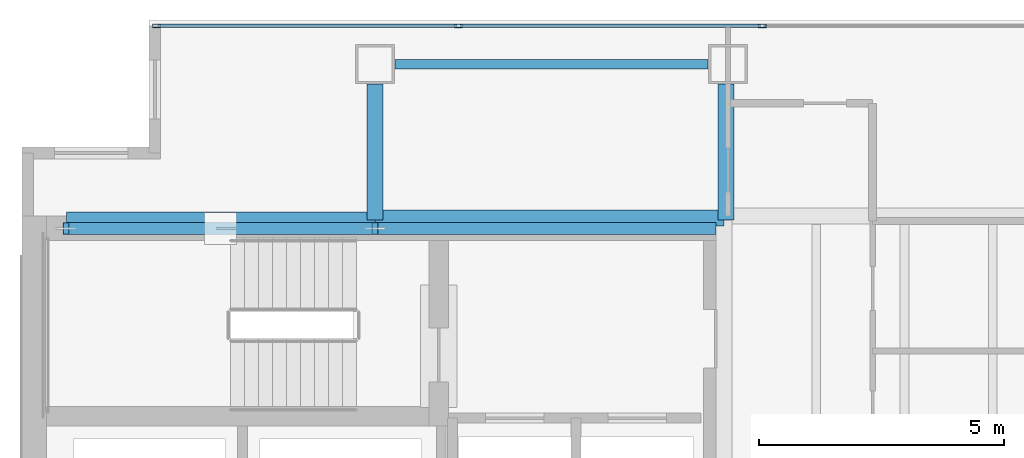
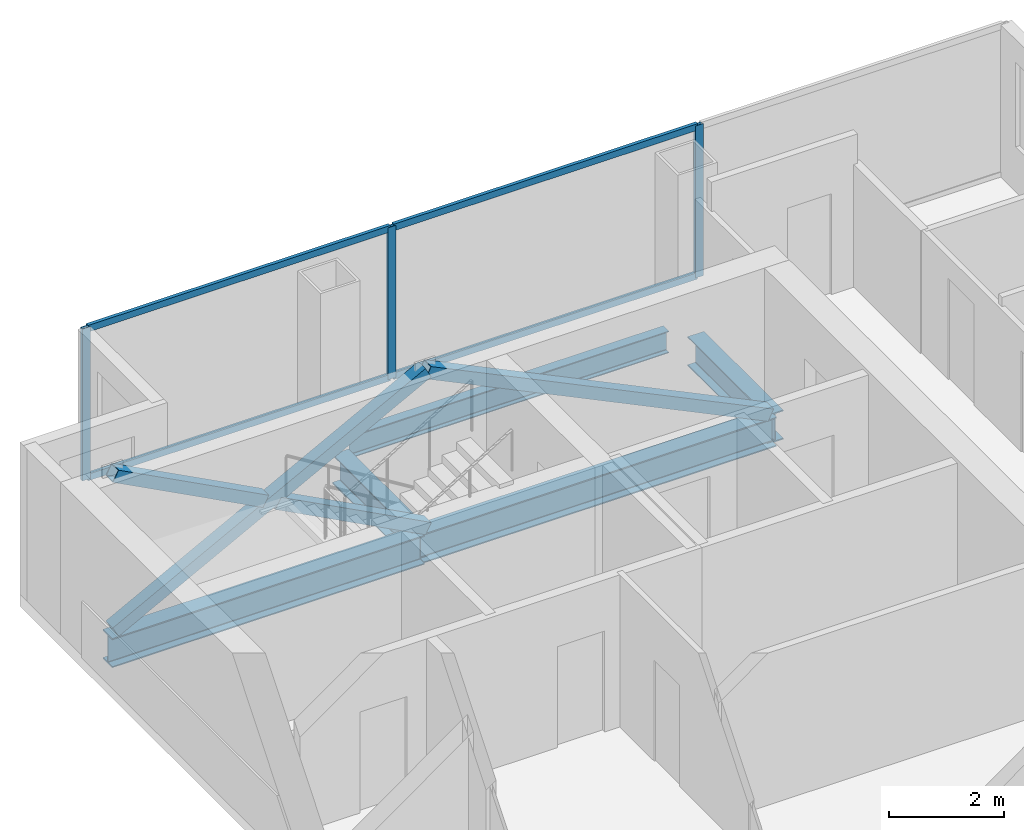
# One storey, part 17 of 23: 11 members, 5 beams, 1 element without a shape of its own.
"""IFC4 building model written with IfcOpenShell, lengths in metres."""

import ifcopenshell
import ifcopenshell.guid

model = None  # the IFC model being written
_history = None  # IfcOwnerHistory: only IFC2X3 demands one
_inside = {}  # id of a spatial element -> (the spatial element, [elements in it])
_under = {}  # id of a project, library or spatial element -> (it, [spatial elements below it])
_declared = {}  # id of a project -> (the project, [libraries it declares])
_typed = {}  # id of a type object -> (the type object, [elements of that type])
_made_of = {}  # id of a material, layer set ... -> (it, [elements and type objects made of it])


def new_model(schema):
    """Start an empty IFC model of exactly this schema.

    Asked for "IFC4X3", IfcOpenShell would pick the latest addendum, in which some entities
    have other attributes; the version numbers below select the first issue.
    IFC2X3 requires an IfcOwnerHistory on every rooted entity: one is made here for all.
    """
    global model, _history
    if schema == "IFC4X3":
        model = ifcopenshell.file(schema_version=(4, 3, 0, 0))
    else:
        model = ifcopenshell.file(schema=schema)
    _inside.clear()
    _under.clear()
    _declared.clear()
    _typed.clear()
    _made_of.clear()
    _history = None
    if model.schema == "IFC2X3":
        org = make("IfcOrganization", Name="unknown")
        user = make(
            "IfcPersonAndOrganization",
            ThePerson=make("IfcPerson", FamilyName="unknown"),
            TheOrganization=org,
        )
        app = make(
            "IfcApplication",
            ApplicationDeveloper=org,
            Version="unknown",
            ApplicationFullName="unknown",
            ApplicationIdentifier="unknown",
        )
        _history = make(
            "IfcOwnerHistory",
            OwningUser=user,
            OwningApplication=app,
            ChangeAction="ADDED",
            CreationDate=0,
        )
    return model


def make(cls, **values):
    """One entity of the class cls with the attributes given. An attribute that is None is left unset."""
    return model.create_entity(
        cls, **{name: value for name, value in values.items() if value is not None}
    )


def rooted(cls, **values):
    """An entity with a GlobalId (a new one), such as an element, a storey or a relation."""
    return make(cls, GlobalId=ifcopenshell.guid.new(), OwnerHistory=_history, **values)


def si_unit(unit_type, name, prefix=None):
    """IfcSIUnit, for example si_unit("LENGTHUNIT", "METRE", prefix="MILLI")."""
    return make("IfcSIUnit", UnitType=unit_type, Prefix=prefix, Name=name)


def assignment(units):
    """IfcUnitAssignment: the units of a project."""
    return None if units is None else make("IfcUnitAssignment", Units=units)


def point(xyz):
    """IfcCartesianPoint."""
    return None if xyz is None else make("IfcCartesianPoint", Coordinates=xyz)


def direction(xyz):
    """IfcDirection."""
    return None if xyz is None else make("IfcDirection", DirectionRatios=xyz)


def frame(location, z_axis=None, x_axis=None):
    """IfcAxis2Placement3D, a coordinate frame: its origin and axes. An axis left out is left unset."""
    return make(
        "IfcAxis2Placement3D",
        Location=point(location),
        Axis=direction(z_axis),
        RefDirection=direction(x_axis),
    )


def frame_2d(location, x_axis=None):
    """IfcAxis2Placement2D, a coordinate frame in the plane: its origin and x axis."""
    return make(
        "IfcAxis2Placement2D", Location=point(location), RefDirection=direction(x_axis)
    )


def origin():
    """The frame at (0, 0, 0) with its axes left unset."""
    return frame((0.0, 0.0, 0.0))


def origin_2d():
    """The frame at (0, 0) in the plane with its x axis left unset."""
    return frame_2d((0.0, 0.0))


def place(relative_to, where):
    """IfcLocalPlacement: puts the frame where relative to a parent placement (None: the world)."""
    return make(
        "IfcLocalPlacement", PlacementRelTo=relative_to, RelativePlacement=where
    )


def context(
    kind, dimensions, precision=None, world=None, true_north=None, identifier=None
):
    """IfcGeometricRepresentationContext, for example the 3D "Model" context."""
    return make(
        "IfcGeometricRepresentationContext",
        ContextIdentifier=identifier,
        ContextType=kind,
        CoordinateSpaceDimension=dimensions,
        Precision=precision,
        WorldCoordinateSystem=world,
        TrueNorth=true_north,
    )


def subcontext(parent, identifier, kind, view, scale=None):
    """IfcGeometricRepresentationSubContext, for example "Body" below "Model"."""
    return make(
        "IfcGeometricRepresentationSubContext",
        ContextIdentifier=identifier,
        ContextType=kind,
        ParentContext=parent,
        TargetScale=scale,
        TargetView=view,
    )


def project(units=None, contexts=None):
    """IfcProject with its units and contexts."""
    return rooted(
        "IfcProject",
        Name="project",
        RepresentationContexts=contexts,
        UnitsInContext=assignment(units),
    )


def spatial(cls, under=None, at=None, **own):
    """A site, building, storey or space (cls), placed at a placement, below another one or the project."""
    s = rooted(cls, ObjectPlacement=at, **own)
    if under is not None:
        _under.setdefault(under.id(), (under, []))[1].append(s)
    return s


def profile(cls, at=None, kind="AREA", **sizes):
    """A parametric profile (cls). Its sizes go by their IFC names, for example OverallWidth=200.0."""
    return make(cls, ProfileType=kind, Position=at, **sizes)


def hollow_rectangle(**sizes):
    """IfcRectangleHollowProfileDef."""
    return profile("IfcRectangleHollowProfileDef", **sizes)


def i_section(**sizes):
    """IfcIShapeProfileDef."""
    return profile("IfcIShapeProfileDef", **sizes)


def extrude(swept, where, along, depth):
    """IfcExtrudedAreaSolid: the profile swept, set in the frame where, extruded along a direction by depth."""
    return make(
        "IfcExtrudedAreaSolid",
        SweptArea=swept,
        Position=where,
        ExtrudedDirection=direction(along),
        Depth=depth,
    )


def shape(context_of_items, identifier, shape_type, items):
    """IfcShapeRepresentation: the items that make up one representation, for example the "Body"."""
    return make(
        "IfcShapeRepresentation",
        ContextOfItems=context_of_items,
        RepresentationIdentifier=identifier,
        RepresentationType=shape_type,
        Items=items,
    )


def material(Name=None, Category=None):
    """IfcMaterial."""
    return make("IfcMaterial", Name=Name, Category=Category)


def material_profile(
    of_material, cross_section, Name=None, Category=None, Priority=None
):
    """IfcMaterialProfile: a cross section and its material."""
    return make(
        "IfcMaterialProfile",
        Name=Name,
        Material=of_material,
        Profile=cross_section,
        Priority=Priority,
        Category=Category,
    )


def profile_set(profiles, Name=None, composite=None):
    """IfcMaterialProfileSet."""
    return make(
        "IfcMaterialProfileSet",
        Name=Name,
        MaterialProfiles=profiles,
        CompositeProfile=composite,
    )


def made_of(thing, what):
    """Note that an element or type object is made of a material, layer set ...; save() writes the relation."""
    if what is not None:
        _made_of.setdefault(what.id(), (what, []))[1].append(thing)
    return thing


def type_object(cls, material=None, **own):
    """A type object (cls), such as IfcWallType, which elements share."""
    return made_of(rooted(cls, **own), material)


def element(
    cls,
    number,
    at=None,
    inside=None,
    cuts=None,
    type_object=None,
    material=None,
    context=None,
    identifier="Body",
    shape_type=None,
    held_by="IfcProductDefinitionShape",
    body=None,
    shapes=None,
    **own,
):
    """One element of the class cls, such as IfcWall. Its Tag is "e" and its number.

    at: its placement. inside: the storey or other place that contains it. cuts: it is an
    opening in that element (IfcRelVoidsElement). A single representation is given by context,
    identifier, shape_type and body (its items); several are given by shapes. held_by: the class
    of the entity that holds the representations. save() writes the other relations.
    """
    e = rooted(cls, Tag="e%d" % number, ObjectPlacement=at, **own)
    if body is not None:
        shapes = [shape(context, identifier, shape_type, body)]
    if shapes is not None:
        e.Representation = make(held_by, Representations=shapes)
    if inside is not None:
        _inside.setdefault(inside.id(), (inside, []))[1].append(e)
    if cuts is not None:
        rooted(
            "IfcRelVoidsElement", RelatingBuildingElement=cuts, RelatedOpeningElement=e
        )
    if type_object is not None:
        _typed.setdefault(type_object.id(), (type_object, []))[1].append(e)
    return made_of(e, material)


def aggregate(whole, parts):
    """IfcRelAggregates: a whole, such as a stair, and the parts it consists of."""
    return rooted("IfcRelAggregates", RelatingObject=whole, RelatedObjects=parts)


def save(model, path):
    """Write the relations noted so far, then the file.

    IfcRelAggregates (storeys below a building ...), IfcRelContainedInSpatialStructure (elements
    in a storey), IfcRelDefinesByType, IfcRelAssociatesMaterial and IfcRelDeclares: one each for
    every whole, place, type object, material and project.
    """
    for whole, parts in _under.values():
        aggregate(whole, parts)
    for where, things in _inside.values():
        rooted(
            "IfcRelContainedInSpatialStructure",
            RelatedElements=things,
            RelatingStructure=where,
        )
    for kind, things in _typed.values():
        rooted("IfcRelDefinesByType", RelatedObjects=things, RelatingType=kind)
    for what, things in _made_of.values():
        rooted("IfcRelAssociatesMaterial", RelatedObjects=things, RelatingMaterial=what)
    for by, libraries in _declared.values():
        rooted("IfcRelDeclares", RelatingContext=by, RelatedDefinitions=libraries)
    model.write(path)


model = new_model("IFC4")

# Units and contexts
model_context = context("Model", 3, precision=1e-05, world=origin(), true_north=direction((0.0, 1.0)))
body_context = subcontext(model_context, "Body", "Model", "MODEL_VIEW")
ifc_project = project(units=[si_unit("LENGTHUNIT", "METRE"), si_unit("AREAUNIT", "SQUARE_METRE"), si_unit("VOLUMEUNIT", "CUBIC_METRE"), si_unit("PLANEANGLEUNIT", "RADIAN"), si_unit("MASSUNIT", "GRAM", prefix="KILO")], contexts=[model_context])

# Site, building, storey
site_placement = place(None, origin())
site = spatial("IfcSite", under=ifc_project, at=site_placement, CompositionType="ELEMENT")
building_placement = place(site_placement, origin())
building = spatial("IfcBuilding", under=site, at=building_placement, Name="Cobrela Telecom Tower", CompositionType="ELEMENT")
storey_placement = place(building_placement, frame((0.0, 0.0, 197.75)))
storey = spatial("IfcBuildingStorey", under=building, at=storey_placement, Name="L50", CompositionType="ELEMENT", Elevation=197.75)

# Beams
ifc_material_1 = material(Name="Steel ASTM A992 Grade 50", Category="steel")
ifc_material_profile_1 = material_profile(ifc_material_1, i_section(OverallWidth=0.327880859375, OverallDepth=0.6220703125, WebThickness=0.015380859375, FlangeThickness=0.0244140625, FilletRadius=0.014892578125, at=origin_2d()), Name="W24X131")
ifc_profile_set_1 = profile_set([ifc_material_profile_1], Name="Steel ASTM A992 Grade 50")
beam_type_1 = type_object("IfcBeamType", Name="BM-GIRD-06", PredefinedType="USERDEFINED", material=ifc_profile_set_1)
beam_1_placement = place(storey_placement, frame((0.905029296875, 35.919921875, -0.571044921875), z_axis=(1.0, 0.0, 0.0), x_axis=(0.0, 1.0, 0.0)))
element("IfcBeam", 1, at=beam_1_placement, inside=storey, type_object=beam_type_1, Name="L50 Primary Girder X20", ObjectType="GIRDER", PredefinedType="USERDEFINED", context=body_context, shape_type="SweptSolid", body=[
    extrude(i_section(OverallWidth=0.327880859375, OverallDepth=0.6220703125, WebThickness=0.015380859375, FlangeThickness=0.0244140625, FilletRadius=0.014892578125, at=origin_2d()), origin(), (0.0, 0.0, 1.0), 6.2900390625),
])
beam_2_placement = place(storey_placement, frame((7.205078125, 35.9599609375, -0.571044921875), z_axis=(1.0, 0.0, 0.0), x_axis=(0.0, 1.0, 0.0)))
element("IfcBeam", 2, at=beam_2_placement, inside=storey, type_object=beam_type_1, Name="L50 Primary Girder X21", ObjectType="GIRDER", PredefinedType="USERDEFINED", context=body_context, shape_type="SweptSolid", body=[
    extrude(i_section(OverallWidth=0.327880859375, OverallDepth=0.6220703125, WebThickness=0.015380859375, FlangeThickness=0.0244140625, FilletRadius=0.014892578125, at=origin_2d()), origin(), (0.0, 0.0, 1.0), 7.10986328125),
])
for number, where, z_axis, x_axis, name in (
    (3, (7.199951171875, 35.925048828125, -0.571044921875), (0.0, 1.0, 0.0), (-1.0, 0.0, 0.0), "L50 Primary Girder Y25"),
    (4, (14.360107421875, 35.925048828125, -0.571044921875), (0.0, 1.0, 0.0), (-1.0, 0.0, 0.0), "L50 Primary Girder Y31"),
):
    element("IfcBeam", number, at=place(storey_placement, frame(where, z_axis=z_axis, x_axis=x_axis)), inside=storey, type_object=beam_type_1, Name=name, ObjectType="GIRDER", PredefinedType="USERDEFINED", context=body_context, shape_type="SweptSolid", body=[
        extrude(i_section(OverallWidth=0.327880859375, OverallDepth=0.6220703125, WebThickness=0.015380859375, FlangeThickness=0.0244140625, FilletRadius=0.014892578125, at=origin_2d()), origin(), (0.0, 0.0, 1.0), 2.77001953125),
    ])
ifc_material_profile_2 = material_profile(ifc_material_1, i_section(OverallWidth=0.193115234375, OverallDepth=0.467041015625, WebThickness=0.011474609375, FlangeThickness=0.01904296875, FilletRadius=0.012939453125, at=origin_2d()), Name="W18X65")
ifc_profile_set_2 = profile_set([ifc_material_profile_2], Name="Steel ASTM A992 Grade 50")
beam_type_2 = type_object("IfcBeamType", Name="BM-SPAND-05", PredefinedType="SPANDREL", material=ifc_profile_set_2)
beam_3_placement = place(storey_placement, frame((7.60498046875, 39.10009765625, -0.493408203125), z_axis=(1.0, 0.0, 0.0), x_axis=(0.0, 1.0, 0.0)))
element("IfcBeam", 5, at=beam_3_placement, inside=storey, type_object=beam_type_2, Name="L50 Perimeter Spandrel X23", PredefinedType="SPANDREL", context=body_context, shape_type="SweptSolid", body=[
    extrude(i_section(OverallWidth=0.193115234375, OverallDepth=0.467041015625, WebThickness=0.011474609375, FlangeThickness=0.01904296875, FilletRadius=0.012939453125, at=origin_2d()), origin(), (0.0, 0.0, 1.0), 6.39013671875),
])

# Curtain wall, members
ifc_material_2 = material(Name="Anodized Bronze Aluminium 6063-T6", Category="aluminium")
curtain_wall_type = type_object("IfcCurtainWallType", Name="CW-SYS-OFF-LO", PredefinedType="USERDEFINED", material=ifc_material_2)
curtain_wall_placement = place(storey_placement, origin())
curtain_wall = element("IfcCurtainWall", 6, at=curtain_wall_placement, inside=storey, type_object=curtain_wall_type, Name="L50 Unitised Bronze Curtain Wall 07", ObjectType="UNITISED CURTAIN WALL", PredefinedType="USERDEFINED")
ifc_material_profile_3 = material_profile(ifc_material_2, hollow_rectangle(XDim=0.070068359375, YDim=0.159912109375, WallThickness=0.00390625, at=origin_2d()), Name="ALU 70x160x4")
ifc_profile_set_3 = profile_set([ifc_material_profile_3], Name="Anodized Bronze Aluminium 6063-T6")
member_type_1 = type_object("IfcMemberType", Name="CW-SYS-OFF-LO-MUL", PredefinedType="MULLION", material=ifc_profile_set_3)
member_1_placement = place(storey_placement, frame((2.7451171875, 39.8798828125, 0.0), z_axis=(0.0, 0.0, 1.0), x_axis=(0.0, 1.0, 0.0)))
member_1 = element("IfcMember", 7, at=member_1_placement, type_object=member_type_1, Name="CW-OFF-LO mullion 1", PredefinedType="MULLION", context=body_context, shape_type="SweptSolid", body=[
    extrude(hollow_rectangle(XDim=0.070068359375, YDim=0.159912109375, WallThickness=0.00390625, at=origin_2d()), origin(), (0.0, 0.0, 1.0), 3.239990234375),
])
member_2_placement = place(storey_placement, frame((8.9033203125, 39.8798828125, 0.0), z_axis=(0.0, 0.0, 1.0), x_axis=(0.0, 1.0, 0.0)))
member_2 = element("IfcMember", 8, at=member_2_placement, type_object=member_type_1, Name="CW-OFF-LO mullion 2", PredefinedType="MULLION", context=body_context, shape_type="SweptSolid", body=[
    extrude(hollow_rectangle(XDim=0.070068359375, YDim=0.159912109375, WallThickness=0.00390625, at=origin_2d()), origin(), (0.0, 0.0, 1.0), 3.239990234375),
])
member_3_placement = place(storey_placement, frame((15.0966796875, 39.8798828125, 0.0), z_axis=(0.0, 0.0, 1.0), x_axis=(0.0, 1.0, 0.0)))
member_3 = element("IfcMember", 9, at=member_3_placement, type_object=member_type_1, Name="CW-OFF-LO mullion 3", PredefinedType="MULLION", context=body_context, shape_type="SweptSolid", body=[
    extrude(hollow_rectangle(XDim=0.070068359375, YDim=0.159912109375, WallThickness=0.00390625, at=origin_2d()), origin(), (0.0, 0.0, 1.0), 3.239990234375),
])
ifc_material_profile_4 = material_profile(ifc_material_2, hollow_rectangle(XDim=0.070068359375, YDim=0.139892578125, WallThickness=0.00390625, at=origin_2d()), Name="ALU 70x140x4")
ifc_profile_set_4 = profile_set([ifc_material_profile_4], Name="Anodized Bronze Aluminium 6063-T6")
member_type_2 = type_object("IfcMemberType", Name="CW-SYS-OFF-LO-TRN", PredefinedType="USERDEFINED", material=ifc_profile_set_4)
member_4_placement = place(storey_placement, frame((2.780029296875, 39.8798828125, 0.034912109375), z_axis=(1.0, 0.0, 0.0), x_axis=(0.0, 1.0, 0.0)))
member_4 = element("IfcMember", 10, at=member_4_placement, type_object=member_type_2, Name="CW-OFF-LO transom 1.1", ObjectType="TRANSOM", PredefinedType="USERDEFINED", context=body_context, shape_type="SweptSolid", body=[
    extrude(hollow_rectangle(XDim=0.070068359375, YDim=0.139892578125, WallThickness=0.00390625, at=origin_2d()), origin(), (0.0, 0.0, 1.0), 6.08837890625),
])
member_5_placement = place(storey_placement, frame((2.780029296875, 39.8798828125, 3.205078125), z_axis=(1.0, 0.0, 0.0), x_axis=(0.0, 1.0, 0.0)))
member_5 = element("IfcMember", 11, at=member_5_placement, type_object=member_type_2, Name="CW-OFF-LO transom 1.2", ObjectType="TRANSOM", PredefinedType="USERDEFINED", context=body_context, shape_type="SweptSolid", body=[
    extrude(hollow_rectangle(XDim=0.070068359375, YDim=0.139892578125, WallThickness=0.00390625, at=origin_2d()), origin(), (0.0, 0.0, 1.0), 6.08837890625),
])
member_6_placement = place(storey_placement, frame((8.938232421875, 39.8798828125, 0.034912109375), z_axis=(1.0, 0.0, 0.0), x_axis=(0.0, 1.0, 0.0)))
member_6 = element("IfcMember", 12, at=member_6_placement, type_object=member_type_2, Name="CW-OFF-LO transom 2.1", ObjectType="TRANSOM", PredefinedType="USERDEFINED", context=body_context, shape_type="SweptSolid", body=[
    extrude(hollow_rectangle(XDim=0.070068359375, YDim=0.139892578125, WallThickness=0.00390625, at=origin_2d()), origin(), (0.0, 0.0, 1.0), 6.12353515625),
])
member_7_placement = place(storey_placement, frame((8.938232421875, 39.8798828125, 3.205078125), z_axis=(1.0, 0.0, 0.0), x_axis=(0.0, 1.0, 0.0)))
member_7 = element("IfcMember", 13, at=member_7_placement, type_object=member_type_2, Name="CW-OFF-LO transom 2.2", ObjectType="TRANSOM", PredefinedType="USERDEFINED", context=body_context, shape_type="SweptSolid", body=[
    extrude(hollow_rectangle(XDim=0.070068359375, YDim=0.139892578125, WallThickness=0.00390625, at=origin_2d()), origin(), (0.0, 0.0, 1.0), 6.12353515625),
])
aggregate(curtain_wall, [member_1, member_2, member_3, member_4, member_5, member_6, member_7])

# Members
ifc_material_3 = material(Name="Steel ASTM A572 Grade 50", Category="steel")
ifc_material_profile_5 = material_profile(ifc_material_3, hollow_rectangle(XDim=0.25, YDim=0.25, WallThickness=0.013916015625, at=origin_2d()), Name="HSS 250x250x14")
ifc_profile_set_5 = profile_set([ifc_material_profile_5], Name="Steel ASTM A572 Grade 50")
member_type_3 = type_object("IfcMemberType", Name="MBR-EXO-04", PredefinedType="BRACE", material=ifc_profile_set_5)
member_8_placement = place(storey_placement, frame((0.89990234375, 35.75, -0.0400390625), z_axis=(0.884671945606, 0.0, 0.466214058837), x_axis=(0.0, 1.0, 0.0)))
element("IfcMember", 14, at=member_8_placement, inside=storey, type_object=member_type_3, Name="L50 Core Flange Steel X-Brace Continuous A", PredefinedType="BRACE", context=body_context, shape_type="SweptSolid", body=[
    extrude(hollow_rectangle(XDim=0.25, YDim=0.25, WallThickness=0.013916015625, at=origin_2d()), origin(), (0.0, 0.0, 1.0), 7.121337890625),
])
for number, where, z_axis, x_axis, name in (
    (15, (7.199951171875, 35.75, -0.0400390625), (-0.884673479945, 0.0, 0.466211147317), (0.0, -1.0, 0.0), "L50 Core Flange Steel X-Brace Split B1"),
    (16, (3.926025390625, 35.75, 1.685302734375), (-0.884673479945, 0.0, 0.466211147317), (0.0, -1.0, 0.0), "L50 Core Flange Steel X-Brace Split B2"),
):
    element("IfcMember", number, at=place(storey_placement, frame(where, z_axis=z_axis, x_axis=x_axis)), inside=storey, type_object=member_type_3, Name=name, PredefinedType="BRACE", context=body_context, shape_type="SweptSolid", body=[
        extrude(hollow_rectangle(XDim=0.25, YDim=0.25, WallThickness=0.013916015625, at=origin_2d()), origin(), (0.0, 0.0, 1.0), 3.420654296875),
    ])
member_9_placement = place(storey_placement, frame((14.10009765625, 35.75, -0.0400390625), z_axis=(-0.901115182893, 0.0, 0.43357978177), x_axis=(0.0, -1.0, 0.0)))
element("IfcMember", 17, at=member_9_placement, inside=storey, type_object=member_type_3, Name="L50 Core Flange Steel Brace N2", PredefinedType="BRACE", context=body_context, shape_type="SweptSolid", body=[
    extrude(hollow_rectangle(XDim=0.25, YDim=0.25, WallThickness=0.013916015625, at=origin_2d()), origin(), (0.0, 0.0, 1.0), 7.6572265625),
])

save(model, "model.ifc")
